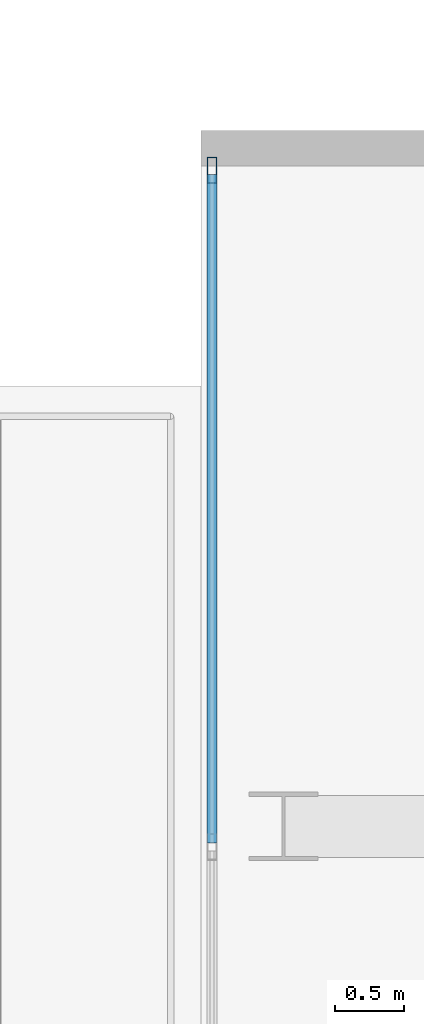
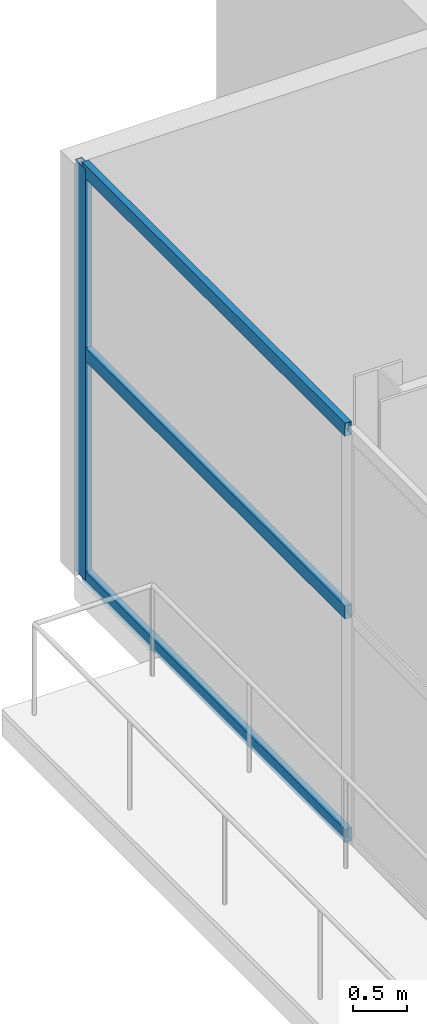
# One storey, part 13 of 22: 4 members, 1 element without a shape of its own.
"""IFC4 building model written with IfcOpenShell, lengths in metres."""

from ifc_helpers import new_model, si_unit, direction, frame, origin, origin_2d, place, context, subcontext, project, spatial, hollow_rectangle, extrude, material, layer, layer_set, material_profile, profile_set, type_object, element, aggregate, save


model = new_model("IFC4")

# Units and contexts
model_context = context("Model", 3, precision=1e-05, world=origin(), true_north=direction((0.0, 1.0)))
body_context = subcontext(model_context, "Body", "Model", "MODEL_VIEW")
ifc_project = project(units=[si_unit("LENGTHUNIT", "METRE"), si_unit("AREAUNIT", "SQUARE_METRE"), si_unit("VOLUMEUNIT", "CUBIC_METRE"), si_unit("PLANEANGLEUNIT", "RADIAN"), si_unit("MASSUNIT", "GRAM", prefix="KILO")], contexts=[model_context])

# Site, building, storey
site_placement = place(None, origin())
site = spatial("IfcSite", under=ifc_project, at=site_placement, CompositionType="ELEMENT")
building_placement = place(site_placement, origin())
building = spatial("IfcBuilding", under=site, at=building_placement, Name="Maruvema Waterfront Hotel and Observation Tower", CompositionType="ELEMENT")
storey_placement = place(building_placement, frame((0.0, 0.0, 354.199951171875)))
storey = spatial("IfcBuildingStorey", under=building, at=storey_placement, Name="L87", CompositionType="ELEMENT", Elevation=354.199951171875)

# Curtain wall, members
ifc_material_1 = material(Name="Anodised bronze aluminium and solar-control low-E IGU", Category="aluminium")
ifc_layer = layer(ifc_material_1, 0.159912109375, Name="Observation Crown Structural Glazed Curtain Wall System CW-06")
ifc_layer_set = layer_set([ifc_layer], Name="Anodised bronze aluminium and solar-control low-E IGU")
curtain_wall_type = type_object("IfcCurtainWallType", Name="Observation Crown Structural Glazed Curtain Wall System CW-06", PredefinedType="USERDEFINED", material=ifc_layer_set)
curtain_wall_placement = place(storey_placement, origin())
curtain_wall = element("IfcCurtainWall", 1, at=curtain_wall_placement, inside=storey, type_object=curtain_wall_type, Name="L87 Curtain Wall CW-L87-WN", ObjectType="UNITISED CURTAIN WALL", PredefinedType="USERDEFINED")
ifc_material_2 = material(Name="Anodised architectural bronze aluminium", Category="aluminium")
ifc_material_profile_1 = material_profile(ifc_material_2, hollow_rectangle(XDim=0.070068359375, YDim=0.14990234375, WallThickness=0.00390625, at=origin_2d()), Name="ALU-T70x150")
ifc_profile_set_1 = profile_set([ifc_material_profile_1], Name="Anodised architectural bronze aluminium")
member_type_1 = type_object("IfcMemberType", Name="Curtain Wall Horizontal Transom ALU-T70x150", PredefinedType="USERDEFINED", material=ifc_profile_set_1)
member_1_placement = place(storey_placement, frame((19.47998046875, 49.739990234375, 0.030029296875), z_axis=(0.0, -1.0, 0.0), x_axis=(1.0, 0.0, 0.0)))
member_1 = element("IfcMember", 2, at=member_1_placement, type_object=member_type_1, Name="CW-06 transom 1.1", ObjectType="TRANSOM", PredefinedType="USERDEFINED", context=body_context, shape_type="SweptSolid", body=[
    extrude(hollow_rectangle(XDim=0.070068359375, YDim=0.14990234375, WallThickness=0.00390625, at=origin_2d()), origin(), (0.0, 0.0, 1.0), 4.860107421875),
])
member_2_placement = place(storey_placement, frame((19.47998046875, 49.739990234375, 2.550048828125), z_axis=(0.0, -1.0, 0.0), x_axis=(1.0, 0.0, 0.0)))
member_2 = element("IfcMember", 3, at=member_2_placement, type_object=member_type_1, Name="CW-06 transom 1.2", ObjectType="TRANSOM", PredefinedType="USERDEFINED", context=body_context, shape_type="SweptSolid", body=[
    extrude(hollow_rectangle(XDim=0.070068359375, YDim=0.14990234375, WallThickness=0.00390625, at=origin_2d()), origin(), (0.0, 0.0, 1.0), 4.860107421875),
])
member_3_placement = place(storey_placement, frame((19.47998046875, 49.739990234375, 4.610107421875), z_axis=(0.0, -1.0, 0.0), x_axis=(1.0, 0.0, 0.0)))
member_3 = element("IfcMember", 4, at=member_3_placement, type_object=member_type_1, Name="CW-06 transom 1.3", ObjectType="TRANSOM", PredefinedType="USERDEFINED", context=body_context, shape_type="SweptSolid", body=[
    extrude(hollow_rectangle(XDim=0.070068359375, YDim=0.14990234375, WallThickness=0.00390625, at=origin_2d()), origin(), (0.0, 0.0, 1.0), 4.860107421875),
])
ifc_material_3 = material(Name="Anodised architectural bronze aluminium", Category="aluminium")
ifc_material_profile_2 = material_profile(ifc_material_3, hollow_rectangle(XDim=0.070068359375, YDim=0.18994140625, WallThickness=0.00390625, at=origin_2d()), Name="ALU-M70x190")
ifc_profile_set_2 = profile_set([ifc_material_profile_2], Name="Anodised architectural bronze aluminium")
member_type_2 = type_object("IfcMemberType", Name="Podium Storefront Heavy Mullion ALU-M70x190", PredefinedType="MULLION", material=ifc_profile_set_2)
member_4_placement = place(storey_placement, frame((19.47998046875, 49.77001953125, 0.0), z_axis=(0.0, 0.0, 1.0), x_axis=(1.0, 0.0, 0.0)))
member_4 = element("IfcMember", 5, at=member_4_placement, type_object=member_type_2, Name="CW-06 mullion 1", PredefinedType="MULLION", context=body_context, shape_type="SweptSolid", body=[
    extrude(hollow_rectangle(XDim=0.070068359375, YDim=0.18994140625, WallThickness=0.00390625, at=origin_2d()), origin(), (0.0, 0.0, 1.0), 4.64013671875),
])
aggregate(curtain_wall, [member_4, member_1, member_2, member_3])

save(model, "model.ifc")
